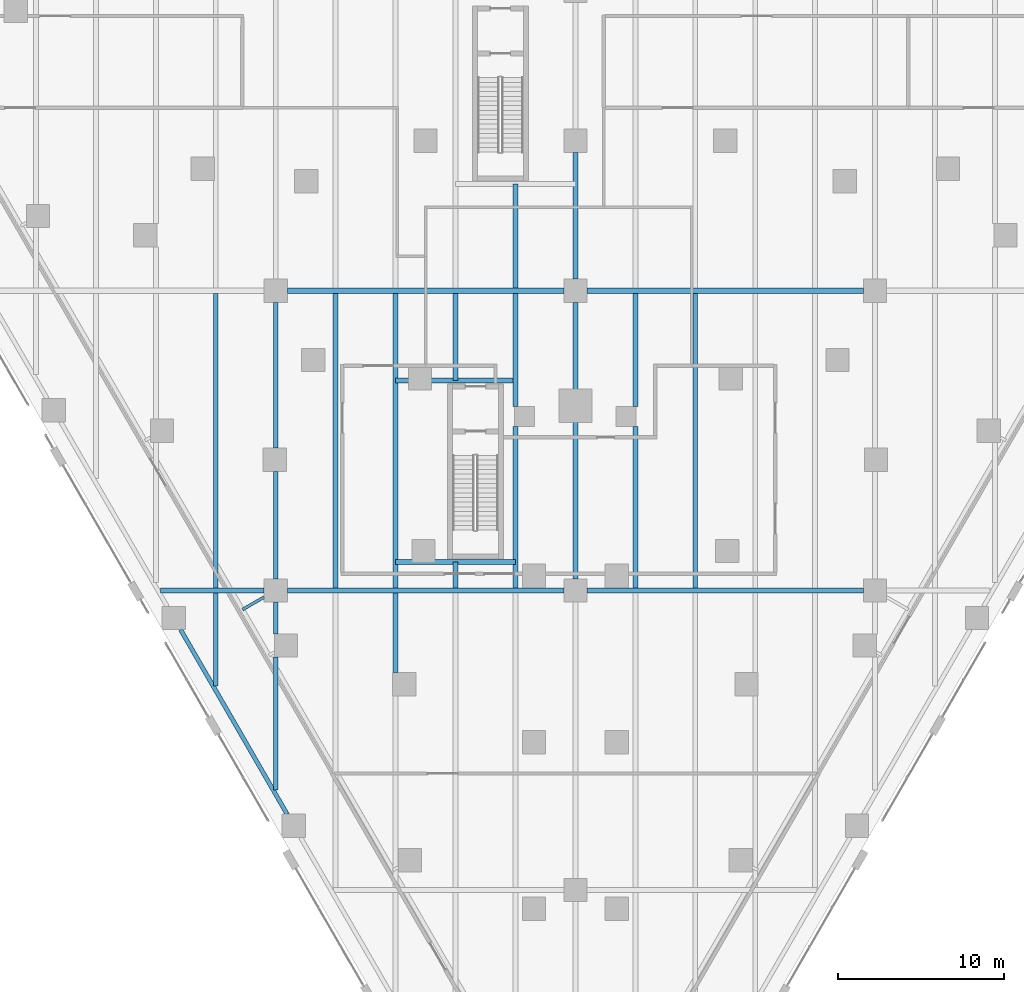
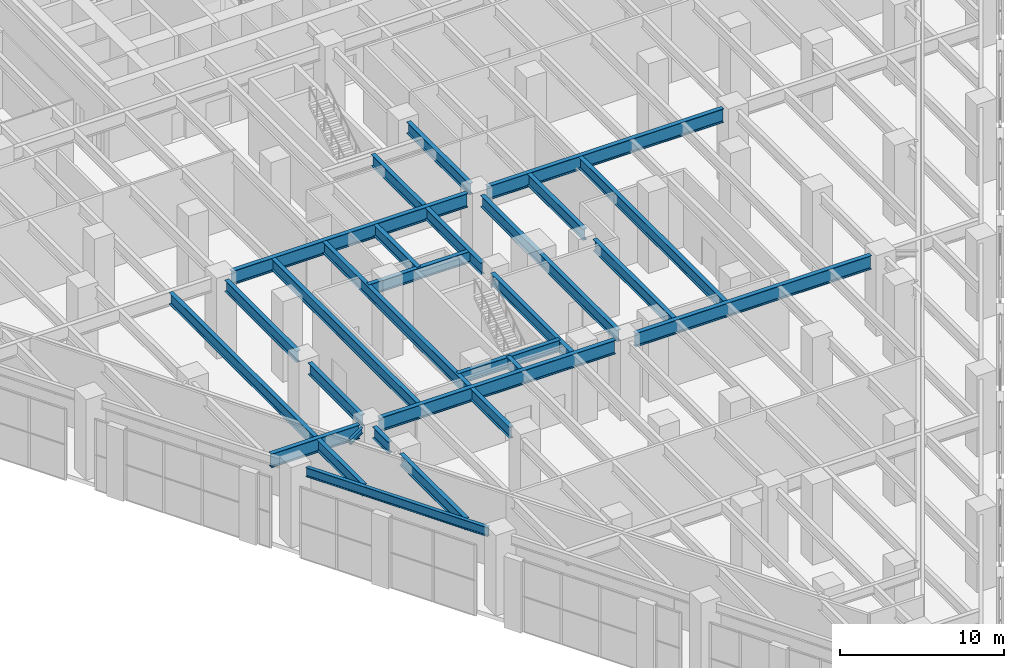
# One storey, part 9 of 37: 28 beams.
"""IFC4 building model written with IfcOpenShell, lengths in metres."""

from ifc_helpers import new_model, si_unit, direction, frame, origin, origin_2d, place, context, subcontext, project, spatial, i_section, extrude, material, material_profile, profile_set, type_object, element, save


model = new_model("IFC4")

# Units and contexts
model_context = context("Model", 3, precision=1e-05, world=origin(), true_north=direction((0.0, 1.0)))
body_context = subcontext(model_context, "Body", "Model", "MODEL_VIEW")
ifc_project = project(units=[si_unit("LENGTHUNIT", "METRE"), si_unit("AREAUNIT", "SQUARE_METRE"), si_unit("VOLUMEUNIT", "CUBIC_METRE"), si_unit("PLANEANGLEUNIT", "RADIAN"), si_unit("MASSUNIT", "GRAM", prefix="KILO")], contexts=[model_context])

# Site, building, storey
site_placement = place(None, origin())
site = spatial("IfcSite", under=ifc_project, at=site_placement, CompositionType="ELEMENT")
building_placement = place(site_placement, origin())
building = spatial("IfcBuilding", under=site, at=building_placement, Name="Aloe Facet Convention Tower", CompositionType="ELEMENT")
storey_placement = place(building_placement, frame((0.0, 0.0, 7.5)))
storey = spatial("IfcBuildingStorey", under=building, at=storey_placement, Name="L01", CompositionType="ELEMENT", Elevation=7.5)

# Beams
ifc_material_1 = material(Name="Steel S355", Category="steel")
ifc_material_profile_1 = material_profile(ifc_material_1, i_section(OverallWidth=0.177734375, OverallDepth=0.402587890625, WebThickness=0.0078125, FlangeThickness=0.010986328125, FilletRadius=0.01025390625, at=origin_2d()), Name="UB 406x178x54")
ifc_profile_set_1 = profile_set([ifc_material_profile_1], Name="Steel S355")
beam_type_1 = type_object("IfcBeamType", Name="EV-BR-UB406x178x54", PredefinedType="BEAM", material=ifc_profile_set_1)
beam_1_placement = place(storey_placement, frame((61.300048828125, 80.595947265625, 5.498779296875), z_axis=(-0.866000409959, -0.500043288077, 0.0), x_axis=(0.500043288077, -0.866000409959, 0.0)))
element("IfcBeam", 1, at=beam_1_placement, inside=storey, type_object=beam_type_1, Name="EB-L02-W-BR01", PredefinedType="BEAM", context=body_context, shape_type="SweptSolid", body=[
    extrude(i_section(OverallWidth=0.177734375, OverallDepth=0.402587890625, WebThickness=0.0078125, FlangeThickness=0.010986328125, FilletRadius=0.01025390625, at=origin_2d()), origin(), (0.0, 0.0, 1.0), 1.492919921875),
])
ifc_material_2 = material(Name="Steel S355", Category="steel")
ifc_material_profile_2 = material_profile(ifc_material_2, i_section(OverallWidth=0.305419921875, OverallDepth=1.02587890625, WebThickness=0.02001953125, FlangeThickness=0.031005859375, FilletRadius=0.030029296875, at=origin_2d()), Name="UB 1016x305x349")
ifc_profile_set_2 = profile_set([ifc_material_profile_2], Name="Steel S355")
beam_type_2 = type_object("IfcBeamType", Name="SF-B-UB1016x305x349", PredefinedType="BEAM", material=ifc_profile_set_2)
beam_2_placement = place(storey_placement, frame((55.0830078125, 81.0, 5.18701171875), z_axis=(1.0, 0.0, 0.0), x_axis=(0.0, 1.0, 0.0)))
element("IfcBeam", 2, at=beam_2_placement, inside=storey, type_object=beam_type_2, Name="Floor beam FB-L02-034", PredefinedType="BEAM", context=body_context, shape_type="SweptSolid", body=[
    extrude(i_section(OverallWidth=0.305419921875, OverallDepth=1.02587890625, WebThickness=0.02001953125, FlangeThickness=0.031005859375, FilletRadius=0.030029296875, at=origin_2d()), origin(), (0.0, 0.0, 1.0), 6.217041015625),
])
for number, where, z_axis, x_axis, name in (
    (3, (62.699951171875, 81.0, 5.18701171875), (1.0, 0.0, 0.0), (0.0, 1.0, 0.0), "Floor beam FB-L02-036"),
    (4, (62.699951171875, 99.0, 5.18701171875), (1.0, 0.0, 0.0), (0.0, 1.0, 0.0), "Floor beam FB-L02-037"),
    (5, (80.699951171875, 81.0, 5.18701171875), (1.0, 0.0, 0.0), (0.0, 1.0, 0.0), "Floor beam FB-L02-042"),
    (6, (80.699951171875, 99.0, 5.18701171875), (1.0, 0.0, 0.0), (0.0, 1.0, 0.0), "Floor beam FB-L02-043"),
):
    element("IfcBeam", number, at=place(storey_placement, frame(where, z_axis=z_axis, x_axis=x_axis)), inside=storey, type_object=beam_type_2, Name=name, PredefinedType="BEAM", context=body_context, shape_type="SweptSolid", body=[
        extrude(i_section(OverallWidth=0.305419921875, OverallDepth=1.02587890625, WebThickness=0.02001953125, FlangeThickness=0.031005859375, FilletRadius=0.030029296875, at=origin_2d()), origin(), (0.0, 0.0, 1.0), 16.60009765625),
    ])
ifc_material_3 = material(Name="Steel S355", Category="steel")
ifc_material_profile_3 = material_profile(ifc_material_3, i_section(OverallWidth=0.25439453125, OverallDepth=0.6875, WebThickness=0.01318359375, FlangeThickness=0.02099609375, FilletRadius=0.01513671875, at=origin_2d()), Name="UB 686x254x152")
ifc_profile_set_3 = profile_set([ifc_material_profile_3], Name="Steel S355")
beam_type_3 = type_object("IfcBeamType", Name="SF-B-UB686x254x152", PredefinedType="BEAM", material=ifc_profile_set_3)
beam_3_placement = place(storey_placement, frame((62.687255859375, 67.556884765625, 5.356201171875), z_axis=(-0.499987149722, 0.866032822769, 0.0), x_axis=(-0.866032822769, -0.499987149722, 0.0)))
element("IfcBeam", 7, at=beam_3_placement, inside=storey, type_object=beam_type_3, Name="Floor beam FB-L02-012", PredefinedType="BEAM", context=body_context, shape_type="SweptSolid", body=[
    extrude(i_section(OverallWidth=0.25439453125, OverallDepth=0.6875, WebThickness=0.01318359375, FlangeThickness=0.02099609375, FilletRadius=0.01513671875, at=origin_2d()), origin(), (0.0, 0.0, 1.0), 12.801025390625),
])
ifc_material_4 = material(Name="Steel S355", Category="steel")
ifc_material_profile_4 = material_profile(ifc_material_4, i_section(OverallWidth=0.293701171875, OverallDepth=0.850830078125, WebThickness=0.01611328125, FlangeThickness=0.02685546875, FilletRadius=0.017822265625, at=origin_2d()), Name="UB 838x292x226")
ifc_profile_set_4 = profile_set([ifc_material_profile_4], Name="Steel S355")
beam_type_4 = type_object("IfcBeamType", Name="SF-B-UB838x292x226", PredefinedType="BEAM", material=ifc_profile_set_4)
beam_4_placement = place(storey_placement, frame((58.39990234375, 75.247314453125, 5.2744140625), z_axis=(0.0, 1.0, 0.0), x_axis=(-1.0, 0.0, 0.0)))
element("IfcBeam", 8, at=beam_4_placement, inside=storey, type_object=beam_type_4, Name="Floor beam FB-L02-073", PredefinedType="BEAM", context=body_context, shape_type="SweptSolid", body=[
    extrude(i_section(OverallWidth=0.293701171875, OverallDepth=0.850830078125, WebThickness=0.01611328125, FlangeThickness=0.02685546875, FilletRadius=0.017822265625, at=origin_2d()), origin(), (0.0, 0.0, 1.0), 5.60009765625),
])
beam_5_placement = place(storey_placement, frame((58.39990234375, 81.152587890625, 5.2744140625), z_axis=(0.0, 1.0, 0.0), x_axis=(-1.0, 0.0, 0.0)))
element("IfcBeam", 9, at=beam_5_placement, inside=storey, type_object=beam_type_4, Name="Floor beam FB-L02-074", PredefinedType="BEAM", context=body_context, shape_type="SweptSolid", body=[
    extrude(i_section(OverallWidth=0.293701171875, OverallDepth=0.850830078125, WebThickness=0.01611328125, FlangeThickness=0.02685546875, FilletRadius=0.017822265625, at=origin_2d()), origin(), (0.0, 0.0, 1.0), 17.69482421875),
])
beam_6_placement = place(storey_placement, frame((62.0, 69.011962890625, 5.2744140625), z_axis=(0.0, 1.0, 0.0), x_axis=(-1.0, 0.0, 0.0)))
element("IfcBeam", 10, at=beam_6_placement, inside=storey, type_object=beam_type_4, Name="Floor beam FB-L02-077", PredefinedType="BEAM", context=body_context, shape_type="SweptSolid", body=[
    extrude(i_section(OverallWidth=0.293701171875, OverallDepth=0.850830078125, WebThickness=0.01611328125, FlangeThickness=0.02685546875, FilletRadius=0.017822265625, at=origin_2d()), origin(), (0.0, 0.0, 1.0), 7.97412109375),
])
beam_7_placement = place(storey_placement, frame((62.0, 78.385986328125, 5.2744140625), z_axis=(0.0, 1.0, 0.0), x_axis=(-1.0, 0.0, 0.0)))
element("IfcBeam", 11, at=beam_7_placement, inside=storey, type_object=beam_type_4, Name="Floor beam FB-L02-078", PredefinedType="BEAM", context=body_context, shape_type="SweptSolid", body=[
    extrude(i_section(OverallWidth=0.293701171875, OverallDepth=0.850830078125, WebThickness=0.01611328125, FlangeThickness=0.02685546875, FilletRadius=0.017822265625, at=origin_2d()), origin(), (0.0, 0.0, 1.0), 1.9140625),
])
beam_8_placement = place(storey_placement, frame((62.0, 81.699951171875, 5.2744140625), z_axis=(0.0, 1.0, 0.0), x_axis=(-1.0, 0.0, 0.0)))
element("IfcBeam", 12, at=beam_8_placement, inside=storey, type_object=beam_type_4, Name="Floor beam FB-L02-079", PredefinedType="BEAM", context=body_context, shape_type="SweptSolid", body=[
    extrude(i_section(OverallWidth=0.293701171875, OverallDepth=0.850830078125, WebThickness=0.01611328125, FlangeThickness=0.02685546875, FilletRadius=0.017822265625, at=origin_2d()), origin(), (0.0, 0.0, 1.0), 6.445068359375),
])
beam_9_placement = place(storey_placement, frame((62.0, 89.544921875, 5.2744140625), z_axis=(0.0, 1.0, 0.0), x_axis=(-1.0, 0.0, 0.0)))
element("IfcBeam", 13, at=beam_9_placement, inside=storey, type_object=beam_type_4, Name="Floor beam FB-L02-080", PredefinedType="BEAM", context=body_context, shape_type="SweptSolid", body=[
    extrude(i_section(OverallWidth=0.293701171875, OverallDepth=0.850830078125, WebThickness=0.01611328125, FlangeThickness=0.02685546875, FilletRadius=0.017822265625, at=origin_2d()), origin(), (0.0, 0.0, 1.0), 8.755126953125),
])
beam_10_placement = place(storey_placement, frame((65.60009765625, 81.152587890625, 5.2744140625), z_axis=(0.0, 1.0, 0.0), x_axis=(-1.0, 0.0, 0.0)))
element("IfcBeam", 14, at=beam_10_placement, inside=storey, type_object=beam_type_4, Name="Floor beam FB-L02-084", PredefinedType="BEAM", context=body_context, shape_type="SweptSolid", body=[
    extrude(i_section(OverallWidth=0.293701171875, OverallDepth=0.850830078125, WebThickness=0.01611328125, FlangeThickness=0.02685546875, FilletRadius=0.017822265625, at=origin_2d()), origin(), (0.0, 0.0, 1.0), 17.69482421875),
])
beam_11_placement = place(storey_placement, frame((69.199951171875, 76.06591796875, 5.2744140625), z_axis=(0.0, 1.0, 0.0), x_axis=(-1.0, 0.0, 0.0)))
element("IfcBeam", 15, at=beam_11_placement, inside=storey, type_object=beam_type_4, Name="Floor beam FB-L02-089", PredefinedType="BEAM", context=body_context, shape_type="SweptSolid", body=[
    extrude(i_section(OverallWidth=0.293701171875, OverallDepth=0.850830078125, WebThickness=0.01611328125, FlangeThickness=0.02685546875, FilletRadius=0.017822265625, at=origin_2d()), origin(), (0.0, 0.0, 1.0), 4.781494140625),
])
beam_12_placement = place(storey_placement, frame((69.199951171875, 81.152587890625, 5.2744140625), z_axis=(0.0, 1.0, 0.0), x_axis=(-1.0, 0.0, 0.0)))
element("IfcBeam", 16, at=beam_12_placement, inside=storey, type_object=beam_type_4, Name="Floor beam FB-L02-090", PredefinedType="BEAM", context=body_context, shape_type="SweptSolid", body=[
    extrude(i_section(OverallWidth=0.293701171875, OverallDepth=0.850830078125, WebThickness=0.01611328125, FlangeThickness=0.02685546875, FilletRadius=0.017822265625, at=origin_2d()), origin(), (0.0, 0.0, 1.0), 17.69482421875),
])
for number, where, z_axis, x_axis, name in (
    (17, (69.199951171875, 82.699951171875, 5.2744140625), (1.0, 0.0, 0.0), (0.0, 1.0, 0.0), "Floor beam FB-L02-091"),
    (18, (69.199951171875, 93.60009765625, 5.2744140625), (1.0, 0.0, 0.0), (0.0, 1.0, 0.0), "Floor beam FB-L02-092"),
):
    element("IfcBeam", number, at=place(storey_placement, frame(where, z_axis=z_axis, x_axis=x_axis)), inside=storey, type_object=beam_type_4, Name=name, PredefinedType="BEAM", context=body_context, shape_type="SweptSolid", body=[
        extrude(i_section(OverallWidth=0.293701171875, OverallDepth=0.850830078125, WebThickness=0.01611328125, FlangeThickness=0.02685546875, FilletRadius=0.017822265625, at=origin_2d()), origin(), (0.0, 0.0, 1.0), 7.199951171875),
    ])
beam_13_placement = place(storey_placement, frame((72.800048828125, 81.152587890625, 5.2744140625), z_axis=(0.0, 1.0, 0.0), x_axis=(-1.0, 0.0, 0.0)))
element("IfcBeam", 19, at=beam_13_placement, inside=storey, type_object=beam_type_4, Name="Floor beam FB-L02-097", PredefinedType="BEAM", context=body_context, shape_type="SweptSolid", body=[
    extrude(i_section(OverallWidth=0.293701171875, OverallDepth=0.850830078125, WebThickness=0.01611328125, FlangeThickness=0.02685546875, FilletRadius=0.017822265625, at=origin_2d()), origin(), (0.0, 0.0, 1.0), 1.54736328125),
])
beam_14_placement = place(storey_placement, frame((72.800048828125, 93.60009765625, 5.2744140625), z_axis=(0.0, 1.0, 0.0), x_axis=(-1.0, 0.0, 0.0)))
element("IfcBeam", 20, at=beam_14_placement, inside=storey, type_object=beam_type_4, Name="Floor beam FB-L02-098", PredefinedType="BEAM", context=body_context, shape_type="SweptSolid", body=[
    extrude(i_section(OverallWidth=0.293701171875, OverallDepth=0.850830078125, WebThickness=0.01611328125, FlangeThickness=0.02685546875, FilletRadius=0.017822265625, at=origin_2d()), origin(), (0.0, 0.0, 1.0), 5.247314453125),
])
beam_15_placement = place(storey_placement, frame((76.39990234375, 81.152587890625, 5.2744140625), z_axis=(0.0, 1.0, 0.0), x_axis=(-1.0, 0.0, 0.0)))
element("IfcBeam", 21, at=beam_15_placement, inside=storey, type_object=beam_type_4, Name="Floor beam FB-L02-104", PredefinedType="BEAM", context=body_context, shape_type="SweptSolid", body=[
    extrude(i_section(OverallWidth=0.293701171875, OverallDepth=0.850830078125, WebThickness=0.01611328125, FlangeThickness=0.02685546875, FilletRadius=0.017822265625, at=origin_2d()), origin(), (0.0, 0.0, 1.0), 9.68994140625),
])
beam_16_placement = place(storey_placement, frame((76.39990234375, 92.04248046875, 5.2744140625), z_axis=(0.0, 1.0, 0.0), x_axis=(-1.0, 0.0, 0.0)))
element("IfcBeam", 22, at=beam_16_placement, inside=storey, type_object=beam_type_4, Name="Floor beam FB-L02-105", PredefinedType="BEAM", context=body_context, shape_type="SweptSolid", body=[
    extrude(i_section(OverallWidth=0.293701171875, OverallDepth=0.850830078125, WebThickness=0.01611328125, FlangeThickness=0.02685546875, FilletRadius=0.017822265625, at=origin_2d()), origin(), (0.0, 0.0, 1.0), 6.804931640625),
])
beam_17_placement = place(storey_placement, frame((76.39990234375, 99.152587890625, 5.2744140625), z_axis=(0.0, 1.0, 0.0), x_axis=(-1.0, 0.0, 0.0)))
element("IfcBeam", 23, at=beam_17_placement, inside=storey, type_object=beam_type_4, Name="Floor beam FB-L02-106", PredefinedType="BEAM", context=body_context, shape_type="SweptSolid", body=[
    extrude(i_section(OverallWidth=0.293701171875, OverallDepth=0.850830078125, WebThickness=0.01611328125, FlangeThickness=0.02685546875, FilletRadius=0.017822265625, at=origin_2d()), origin(), (0.0, 0.0, 1.0), 6.247314453125),
])
beam_18_placement = place(storey_placement, frame((80.0, 81.699951171875, 5.2744140625), z_axis=(0.0, 1.0, 0.0), x_axis=(-1.0, 0.0, 0.0)))
element("IfcBeam", 24, at=beam_18_placement, inside=storey, type_object=beam_type_4, Name="Floor beam FB-L02-111", PredefinedType="BEAM", context=body_context, shape_type="SweptSolid", body=[
    extrude(i_section(OverallWidth=0.293701171875, OverallDepth=0.850830078125, WebThickness=0.01611328125, FlangeThickness=0.02685546875, FilletRadius=0.017822265625, at=origin_2d()), origin(), (0.0, 0.0, 1.0), 16.60009765625),
])
beam_19_placement = place(storey_placement, frame((80.0, 99.699951171875, 5.2744140625), z_axis=(0.0, 1.0, 0.0), x_axis=(-1.0, 0.0, 0.0)))
element("IfcBeam", 25, at=beam_19_placement, inside=storey, type_object=beam_type_4, Name="Floor beam FB-L02-112", PredefinedType="BEAM", context=body_context, shape_type="SweptSolid", body=[
    extrude(i_section(OverallWidth=0.293701171875, OverallDepth=0.850830078125, WebThickness=0.01611328125, FlangeThickness=0.02685546875, FilletRadius=0.017822265625, at=origin_2d()), origin(), (0.0, 0.0, 1.0), 7.60009765625),
])
beam_20_placement = place(storey_placement, frame((83.60009765625, 81.152587890625, 5.2744140625), z_axis=(0.0, 1.0, 0.0), x_axis=(-1.0, 0.0, 0.0)))
element("IfcBeam", 26, at=beam_20_placement, inside=storey, type_object=beam_type_4, Name="Floor beam FB-L02-117", PredefinedType="BEAM", context=body_context, shape_type="SweptSolid", body=[
    extrude(i_section(OverallWidth=0.293701171875, OverallDepth=0.850830078125, WebThickness=0.01611328125, FlangeThickness=0.02685546875, FilletRadius=0.017822265625, at=origin_2d()), origin(), (0.0, 0.0, 1.0), 9.68994140625),
])
beam_21_placement = place(storey_placement, frame((83.60009765625, 92.04248046875, 5.2744140625), z_axis=(0.0, 1.0, 0.0), x_axis=(-1.0, 0.0, 0.0)))
element("IfcBeam", 27, at=beam_21_placement, inside=storey, type_object=beam_type_4, Name="Floor beam FB-L02-118", PredefinedType="BEAM", context=body_context, shape_type="SweptSolid", body=[
    extrude(i_section(OverallWidth=0.293701171875, OverallDepth=0.850830078125, WebThickness=0.01611328125, FlangeThickness=0.02685546875, FilletRadius=0.017822265625, at=origin_2d()), origin(), (0.0, 0.0, 1.0), 6.804931640625),
])
beam_22_placement = place(storey_placement, frame((87.199951171875, 81.152587890625, 5.2744140625), z_axis=(0.0, 1.0, 0.0), x_axis=(-1.0, 0.0, 0.0)))
element("IfcBeam", 28, at=beam_22_placement, inside=storey, type_object=beam_type_4, Name="Floor beam FB-L02-123", PredefinedType="BEAM", context=body_context, shape_type="SweptSolid", body=[
    extrude(i_section(OverallWidth=0.293701171875, OverallDepth=0.850830078125, WebThickness=0.01611328125, FlangeThickness=0.02685546875, FilletRadius=0.017822265625, at=origin_2d()), origin(), (0.0, 0.0, 1.0), 17.69482421875),
])

save(model, "model.ifc")
